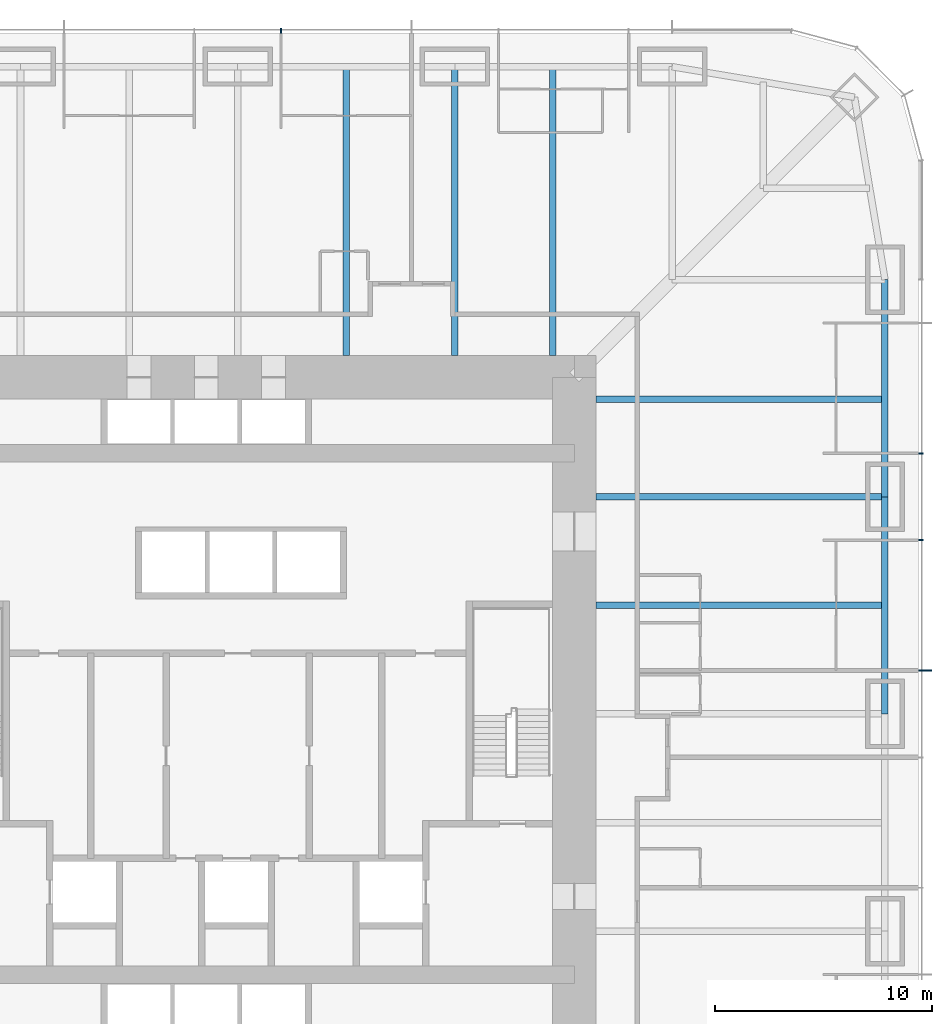
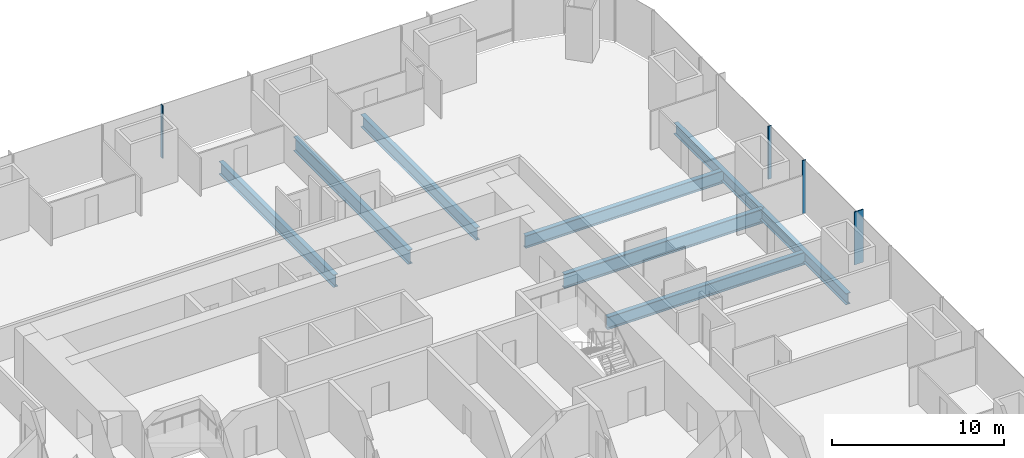
# One storey, part 8 of 16: 8 beams, 4 members, 2 elements without a shape of their own.
"""IFC4 building model written with IfcOpenShell, lengths in metres."""

from ifc_helpers import new_model, si_unit, direction, frame, origin, origin_2d, place, context, subcontext, project, spatial, rectangle, i_section, extrude, material, material_profile, profile_set, type_object, element, aggregate, save


model = new_model("IFC4")

# Units and contexts
model_context = context("Model", 3, precision=1e-05, world=origin(), true_north=direction((0.0, 1.0)))
body_context = subcontext(model_context, "Body", "Model", "MODEL_VIEW")
ifc_project = project(units=[si_unit("LENGTHUNIT", "METRE"), si_unit("AREAUNIT", "SQUARE_METRE"), si_unit("VOLUMEUNIT", "CUBIC_METRE"), si_unit("PLANEANGLEUNIT", "RADIAN"), si_unit("MASSUNIT", "GRAM", prefix="KILO")], contexts=[model_context])

# Site, building, storey
site_placement = place(None, origin())
site = spatial("IfcSite", under=ifc_project, at=site_placement, CompositionType="ELEMENT")
building_placement = place(site_placement, origin())
building = spatial("IfcBuilding", under=site, at=building_placement, Name="Khuree Lantern Residences", CompositionType="ELEMENT")
storey_placement = place(building_placement, frame((0.0, 0.0, 62.25)))
storey = spatial("IfcBuildingStorey", under=building, at=storey_placement, Name="L15", CompositionType="ELEMENT", Elevation=62.25)

# Beams
ifc_material_1 = material(Name="Steel S355", Category="steel")
ifc_material_profile_1 = material_profile(ifc_material_1, i_section(OverallWidth=0.300048828125, OverallDepth=0.889892578125, WebThickness=0.01611328125, FlangeThickness=0.030029296875, FilletRadius=0.030029296875, at=origin_2d()), Name="HE 900 A")
ifc_profile_set_1 = profile_set([ifc_material_profile_1], Name="Steel S355")
beam_type_1 = type_object("IfcBeamType", Name="B-13 SECONDARY BEAM HE 900 A", PredefinedType="BEAM", material=ifc_profile_set_1)
for number, where, z_axis, x_axis, name in (
    (1, (5.0, 29.800048828125, -0.695068359375), (0.0, -1.0, 0.0), (1.0, 0.0, 0.0), "Secondary beam N3"),
    (2, (14.5, 29.800048828125, -0.695068359375), (0.0, -1.0, 0.0), (1.0, 0.0, 0.0), "Secondary beam N4"),
    (3, (29.800048828125, 14.5, -0.695068359375), (-1.0, 0.0, 0.0), (0.0, -1.0, 0.0), "Secondary beam E2"),
    (4, (29.800048828125, 5.0, -0.695068359375), (-1.0, 0.0, 0.0), (0.0, -1.0, 0.0), "Secondary beam E3"),
):
    element("IfcBeam", number, at=place(storey_placement, frame(where, z_axis=z_axis, x_axis=x_axis)), inside=storey, type_object=beam_type_1, Name=name, PredefinedType="BEAM", context=body_context, shape_type="SweptSolid", body=[
        extrude(i_section(OverallWidth=0.300048828125, OverallDepth=0.889892578125, WebThickness=0.01611328125, FlangeThickness=0.030029296875, FilletRadius=0.030029296875, at=origin_2d()), origin(), (0.0, 0.0, 1.0), 13.300048828125),
    ])
ifc_material_profile_2 = material_profile(ifc_material_1, i_section(OverallWidth=0.300048828125, OverallDepth=0.7900390625, WebThickness=0.014892578125, FlangeThickness=0.028076171875, FilletRadius=0.030029296875, at=origin_2d()), Name="HE 800 A")
ifc_profile_set_2 = profile_set([ifc_material_profile_2], Name="Steel S355")
beam_type_2 = type_object("IfcBeamType", Name="E-13 SPANDREL BEAM HE 800 A", PredefinedType="SPANDREL", material=ifc_profile_set_2)
for number, where, z_axis, x_axis, name in (
    (5, (29.800048828125, 20.0, -0.64501953125), (0.0, -1.0, 0.0), (1.0, 0.0, 0.0), "Spandrel beam E2"),
    (6, (29.800048828125, 10.0, -0.64501953125), (0.0, -1.0, 0.0), (1.0, 0.0, 0.0), "Spandrel beam E3"),
):
    element("IfcBeam", number, at=place(storey_placement, frame(where, z_axis=z_axis, x_axis=x_axis)), inside=storey, type_object=beam_type_2, Name=name, PredefinedType="SPANDREL", context=body_context, shape_type="SweptSolid", body=[
        extrude(i_section(OverallWidth=0.300048828125, OverallDepth=0.7900390625, WebThickness=0.014892578125, FlangeThickness=0.028076171875, FilletRadius=0.030029296875, at=origin_2d()), origin(), (0.0, 0.0, 1.0), 10.0),
    ])

# Curtain wall, member
ifc_material_2 = material(Name="Bronze anodised aluminium", Category="aluminium")
curtain_wall_type = type_object("IfcCurtainWallType", Name="CW-T1 TOWER FACE CURTAIN WALL", PredefinedType="USERDEFINED", material=ifc_material_2)
curtain_wall_1_placement = place(storey_placement, origin())
curtain_wall_1 = element("IfcCurtainWall", 7, at=curtain_wall_1_placement, inside=storey, type_object=curtain_wall_type, Name="L15 EAST FACE CURTAIN WALL", ObjectType="Stick-built curtain wall", PredefinedType="USERDEFINED")
ifc_material_profile_3 = material_profile(ifc_material_2, rectangle(XDim=0.06494140625, YDim=0.60009765625, at=origin_2d()), Name="F1 65X600")
ifc_profile_set_3 = profile_set([ifc_material_profile_3], Name="Bronze anodised aluminium")
member_type_1 = type_object("IfcMemberType", Name="F1 BRONZE FIN MULLION TOWER 65X600", PredefinedType="MULLION", material=ifc_profile_set_3)
member_1_placement = place(storey_placement, frame((31.64990234375, 2.0, 0.0), z_axis=(0.0, 0.0, 1.0), x_axis=(0.0, 1.0, 0.0)))
member_1 = element("IfcMember", 8, at=member_1_placement, type_object=member_type_1, Name="L15 EAST FACE FIN MULLION 10", PredefinedType="MULLION", context=body_context, shape_type="SweptSolid", body=[
    extrude(rectangle(XDim=0.06494140625, YDim=0.60009765625, at=origin_2d()), origin(), (0.0, 0.0, 1.0), 3.75),
])

# Beams
ifc_material_profile_4 = material_profile(ifc_material_1, i_section(OverallWidth=0.302001953125, OverallDepth=1.008056640625, WebThickness=0.02099609375, FlangeThickness=0.0400390625, FilletRadius=0.030029296875, at=origin_2d()), Name="HE 1000 M")
ifc_profile_set_4 = profile_set([ifc_material_profile_4], Name="Steel S355")
beam_type_3 = type_object("IfcBeamType", Name="G-13 GIRDER HE 1000 M", PredefinedType="BEAM", material=ifc_profile_set_4)
for number, where, z_axis, x_axis, name in (
    (9, (10.0, 29.800048828125, -0.75390625), (0.0, -1.0, 0.0), (1.0, 0.0, 0.0), "Girder N4"),
    (10, (29.800048828125, 10.0, -0.75390625), (-1.0, 0.0, 0.0), (0.0, -1.0, 0.0), "Girder E2"),
):
    element("IfcBeam", number, at=place(storey_placement, frame(where, z_axis=z_axis, x_axis=x_axis)), inside=storey, type_object=beam_type_3, Name=name, PredefinedType="BEAM", context=body_context, shape_type="SweptSolid", body=[
        extrude(i_section(OverallWidth=0.302001953125, OverallDepth=1.008056640625, WebThickness=0.02099609375, FlangeThickness=0.0400390625, FilletRadius=0.030029296875, at=origin_2d()), origin(), (0.0, 0.0, 1.0), 13.300048828125),
    ])

# Member
ifc_material_profile_5 = material_profile(ifc_material_2, rectangle(XDim=0.06494140625, YDim=0.219970703125, at=origin_2d()), Name="M1 65X220")
ifc_profile_set_5 = profile_set([ifc_material_profile_5], Name="Bronze anodised aluminium")
member_type_2 = type_object("IfcMemberType", Name="M1 BRONZE MULLION TOWER 65X220", PredefinedType="MULLION", material=ifc_profile_set_5)
member_2_placement = place(storey_placement, frame((31.4599609375, 8.0, 0.0), z_axis=(0.0, 0.0, 1.0), x_axis=(0.0, 1.0, 0.0)))
member_2 = element("IfcMember", 11, at=member_2_placement, type_object=member_type_2, Name="L15 EAST FACE MULLION 11", PredefinedType="MULLION", context=body_context, shape_type="SweptSolid", body=[
    extrude(rectangle(XDim=0.06494140625, YDim=0.219970703125, at=origin_2d()), origin(), (0.0, 0.0, 1.0), 3.75),
])

member_3_placement = place(storey_placement, frame((31.4599609375, 12.0, 0.0), z_axis=(0.0, 0.0, 1.0), x_axis=(0.0, 1.0, 0.0)))
member_3 = element("IfcMember", 12, at=member_3_placement, type_object=member_type_2, Name="L15 EAST FACE MULLION 12", PredefinedType="MULLION", context=body_context, shape_type="SweptSolid", body=[
    extrude(rectangle(XDim=0.06494140625, YDim=0.219970703125, at=origin_2d()), origin(), (0.0, 0.0, 1.0), 3.75),
])

aggregate(curtain_wall_1, [member_1, member_2, member_3])

# Curtain wall, member
curtain_wall_2_placement = place(storey_placement, origin())
curtain_wall_2 = element("IfcCurtainWall", 13, at=curtain_wall_2_placement, inside=storey, type_object=curtain_wall_type, Name="L15 NORTH FACE CURTAIN WALL", ObjectType="Stick-built curtain wall", PredefinedType="USERDEFINED")
member_4_placement = place(storey_placement, frame((2.0, 31.4599609375, 0.0), z_axis=(0.0, 0.0, 1.0), x_axis=(-1.0, 0.0, 0.0)))
member_4 = element("IfcMember", 14, at=member_4_placement, type_object=member_type_2, Name="L15 NORTH FACE MULLION 23", PredefinedType="MULLION", context=body_context, shape_type="SweptSolid", body=[
    extrude(rectangle(XDim=0.06494140625, YDim=0.219970703125, at=origin_2d()), origin(), (0.0, 0.0, 1.0), 3.75),
])
aggregate(curtain_wall_2, [member_4])

save(model, "model.ifc")
